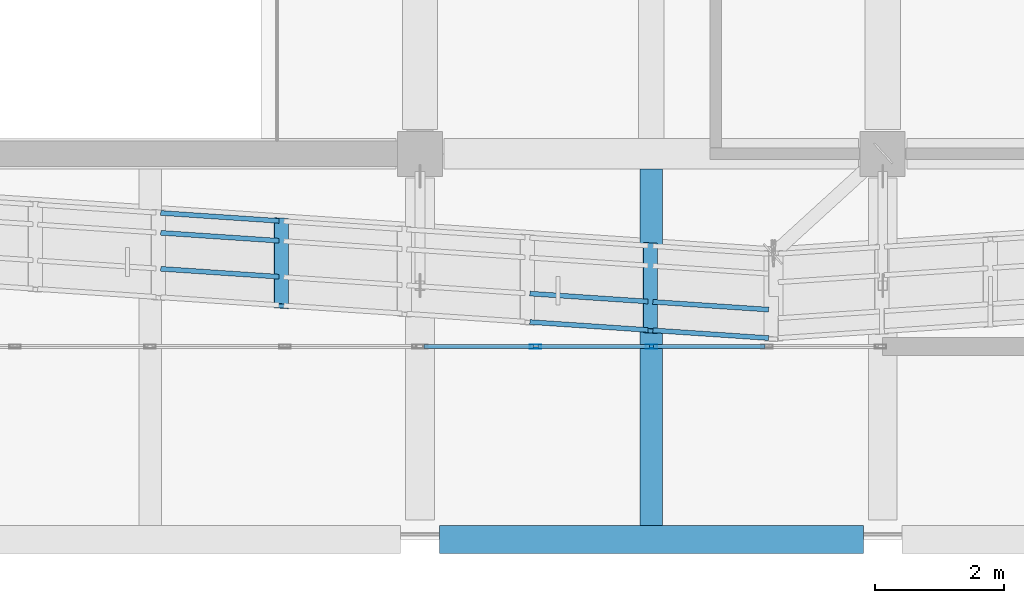
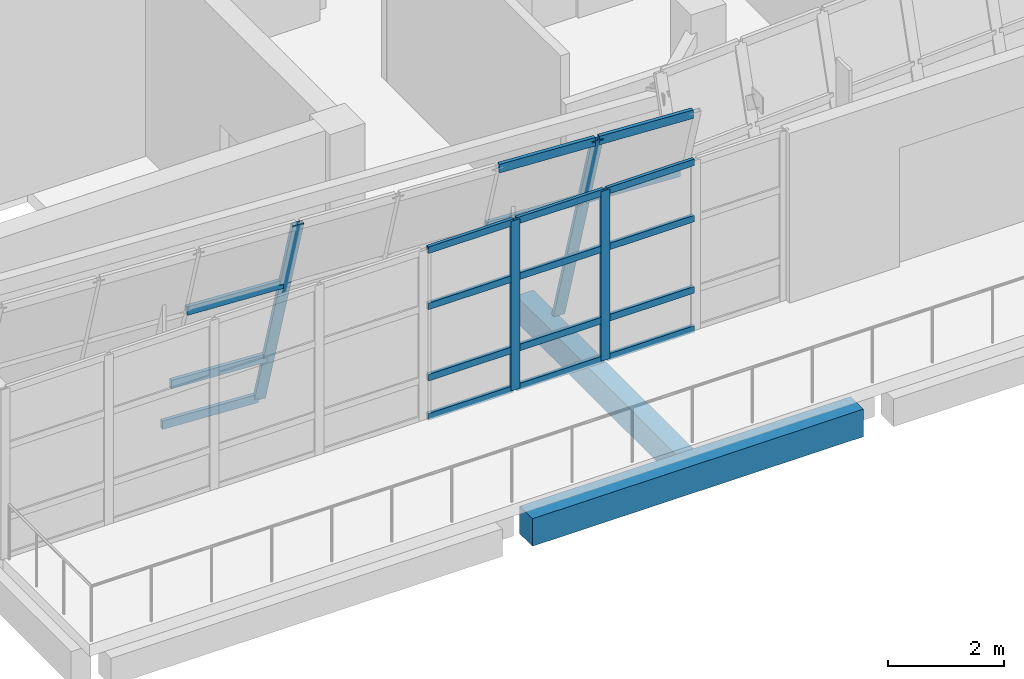
# One storey, part 3 of 67: 23 members, 2 beams, 2 elements without a shape of their own.
"""IFC4 building model written with IfcOpenShell, lengths in metres."""

from ifc_helpers import new_model, si_unit, direction, frame, origin, origin_2d, place, context, subcontext, project, spatial, rectangle, hollow_rectangle, extrude, material, material_profile, profile_set, type_object, element, aggregate, save


model = new_model("IFC4")

# Units and contexts
model_context = context("Model", 3, precision=1e-05, world=origin(), true_north=direction((0.0, 1.0)))
body_context = subcontext(model_context, "Body", "Model", "MODEL_VIEW")
ifc_project = project(units=[si_unit("LENGTHUNIT", "METRE"), si_unit("AREAUNIT", "SQUARE_METRE"), si_unit("VOLUMEUNIT", "CUBIC_METRE"), si_unit("PLANEANGLEUNIT", "RADIAN"), si_unit("MASSUNIT", "GRAM", prefix="KILO")], contexts=[model_context])

# Site, building, storey
site_placement = place(None, origin())
site = spatial("IfcSite", under=ifc_project, at=site_placement, CompositionType="ELEMENT")
building_placement = place(site_placement, origin())
building = spatial("IfcBuilding", under=site, at=building_placement, Name="Pellamere Symphony Hall", CompositionType="ELEMENT")
storey_placement = place(building_placement, frame((0.0, 0.0, 19.5)))
storey = spatial("IfcBuildingStorey", under=building, at=storey_placement, Name="L04", CompositionType="ELEMENT", Elevation=19.5)

# Curtain wall, members
ifc_material_1 = material(Name="Thermally Broken Anodised Aluminium 6063-T6 Curtain Wall", Category="aluminium")
curtain_wall_type_1 = type_object("IfcCurtainWallType", Name="Curtain Wall CW-01 (Tilted Faceted Crystal Low-Iron Curtain Wall)", PredefinedType="NOTDEFINED", material=ifc_material_1)
curtain_wall_1_placement = place(storey_placement, origin())
curtain_wall_1 = element("IfcCurtainWall", 1, at=curtain_wall_1_placement, inside=storey, type_object=curtain_wall_type_1, Name="Crystal Faceted Curtain Wall CW-CR01 (L04)", PredefinedType="NOTDEFINED")
ifc_material_2 = material(Name="Anodised Architectural Aluminium 6063-T6", Category="aluminium")
ifc_material_profile_1 = material_profile(ifc_material_2, hollow_rectangle(XDim=0.074951171875, YDim=0.219970703125, WallThickness=0.0048828125, at=origin_2d()), Name="ALU-M75X220X5")
ifc_profile_set_1 = profile_set([ifc_material_profile_1], Name="Anodised Architectural Aluminium 6063-T6")
member_type_1 = type_object("IfcMemberType", Name="Curtain Wall Mullion ML-01 ALU-M75X220X5", PredefinedType="MULLION", material=ifc_profile_set_1)
member_1_placement = place(storey_placement, frame((56.642822265625, 28.96435546875, 0.0), z_axis=(0.0, -0.284024567884, 0.95881700279), x_axis=(0.067013200006, 0.956661667464, 0.283386105922)))
member_1 = element("IfcMember", 2, at=member_1_placement, type_object=member_type_1, Name="CW1-001 crystal mullion 4", PredefinedType="MULLION", context=body_context, shape_type="SweptSolid", body=[
    extrude(hollow_rectangle(XDim=0.074951171875, YDim=0.219970703125, WallThickness=0.0048828125, at=origin_2d()), origin(), (0.0, 0.0, 1.0), 4.693359375),
])
member_2_placement = place(storey_placement, frame((62.3857421875, 28.57861328125, 0.0), z_axis=(0.0, -0.284024567884, 0.95881700279), x_axis=(0.067013200006, 0.956661667464, 0.283386105922)))
member_2 = element("IfcMember", 3, at=member_2_placement, type_object=member_type_1, Name="CW1-001 crystal mullion 7", PredefinedType="MULLION", context=body_context, shape_type="SweptSolid", body=[
    extrude(hollow_rectangle(XDim=0.074951171875, YDim=0.219970703125, WallThickness=0.0048828125, at=origin_2d()), origin(), (0.0, 0.0, 1.0), 4.693359375),
])

curtain_wall_type_2 = type_object("IfcCurtainWallType", Name="Curtain Wall CW-06 (Belvedere Terrace Clerestory Curtain Wall)", PredefinedType="NOTDEFINED", material=ifc_material_1)
curtain_wall_2_placement = place(storey_placement, origin())
curtain_wall_2 = element("IfcCurtainWall", 4, at=curtain_wall_2_placement, inside=storey, type_object=curtain_wall_type_2, Name="Winter-Garden South Curtain Wall (L04 Bay 2)", PredefinedType="NOTDEFINED")
ifc_material_profile_2 = material_profile(ifc_material_2, hollow_rectangle(XDim=0.06494140625, YDim=0.179931640625, WallThickness=0.00390625, at=origin_2d()), Name="ALU-M65X180X4")
ifc_profile_set_2 = profile_set([ifc_material_profile_2], Name="Anodised Architectural Aluminium 6063-T6")
member_type_2 = type_object("IfcMemberType", Name="Curtain Wall Mullion ML-02 ALU-M65X180X4", PredefinedType="MULLION", material=ifc_profile_set_2)
member_3_placement = place(storey_placement, frame((60.60009765625, 27.0, 0.0), z_axis=(0.0, 0.0, 1.0), x_axis=(0.0, 1.0, 0.0)))
member_3 = element("IfcMember", 5, at=member_3_placement, type_object=member_type_2, Name="CW2-096 crystal mullion 2", PredefinedType="MULLION", context=body_context, shape_type="SweptSolid", body=[
    extrude(hollow_rectangle(XDim=0.06494140625, YDim=0.179931640625, WallThickness=0.00390625, at=origin_2d()), origin(), (0.0, 0.0, 1.0), 3.577392578125),
])
member_4_placement = place(storey_placement, frame((62.39990234375, 27.0, 0.0), z_axis=(0.0, 0.0, 1.0), x_axis=(0.0, 1.0, 0.0)))
member_4 = element("IfcMember", 6, at=member_4_placement, type_object=member_type_2, Name="CW2-096 crystal mullion 3", PredefinedType="MULLION", context=body_context, shape_type="SweptSolid", body=[
    extrude(hollow_rectangle(XDim=0.06494140625, YDim=0.179931640625, WallThickness=0.00390625, at=origin_2d()), origin(), (0.0, 0.0, 1.0), 3.577392578125),
])

# Member
ifc_material_profile_3 = material_profile(ifc_material_2, hollow_rectangle(XDim=0.074951171875, YDim=0.179931640625, WallThickness=0.0048828125, at=origin_2d()), Name="ALU-T75X180X5")
ifc_profile_set_3 = profile_set([ifc_material_profile_3], Name="Anodised Architectural Aluminium 6063-T6")
member_type_3 = type_object("IfcMemberType", Name="Curtain Wall Transom TR-01 ALU-T75X180X5", PredefinedType="USERDEFINED", material=ifc_profile_set_3)
member_5_placement = place(storey_placement, frame((54.765869140625, 29.07958984375, 0.035888671875), z_axis=(0.997752815695, -0.067002378864, 0.0), x_axis=(0.067002378864, 0.997752815695, 0.0)))
member_5 = element("IfcMember", 7, at=member_5_placement, type_object=member_type_3, Name="CW1-001 crystal transom 3.1", ObjectType="TRANSOM", PredefinedType="USERDEFINED", context=body_context, shape_type="SweptSolid", body=[
    extrude(hollow_rectangle(XDim=0.074951171875, YDim=0.179931640625, WallThickness=0.0048828125, at=origin_2d()), origin(), (0.0, 0.0, 1.0), 1.84375),
])

member_6_placement = place(storey_placement, frame((54.765869140625, 28.7705078125, 1.080078125), z_axis=(0.997752815695, -0.067002378864, 0.0), x_axis=(0.067002378864, 0.997752815695, 0.0)))
member_6 = element("IfcMember", 8, at=member_6_placement, type_object=member_type_3, Name="CW1-001 crystal transom 3.2", ObjectType="TRANSOM", PredefinedType="USERDEFINED", context=body_context, shape_type="SweptSolid", body=[
    extrude(hollow_rectangle(XDim=0.074951171875, YDim=0.179931640625, WallThickness=0.0048828125, at=origin_2d()), origin(), (0.0, 0.0, 1.0), 1.84375),
])

member_7_placement = place(storey_placement, frame((54.765869140625, 28.21044921875, 2.969970703125), z_axis=(0.997752815695, -0.067002378864, 0.0), x_axis=(0.067002378864, 0.997752815695, 0.0)))
member_7 = element("IfcMember", 9, at=member_7_placement, type_object=member_type_3, Name="CW1-001 crystal transom 3.3", ObjectType="TRANSOM", PredefinedType="USERDEFINED", context=body_context, shape_type="SweptSolid", body=[
    extrude(hollow_rectangle(XDim=0.074951171875, YDim=0.179931640625, WallThickness=0.0048828125, at=origin_2d()), origin(), (0.0, 0.0, 1.0), 1.84375),
])

member_8_placement = place(storey_placement, frame((60.5087890625, 27.824951171875, 2.969970703125), z_axis=(0.997752815695, -0.067002378864, 0.0), x_axis=(0.067002378864, 0.997752815695, 0.0)))
member_8 = element("IfcMember", 10, at=member_8_placement, type_object=member_type_3, Name="CW1-001 crystal transom 6.3", ObjectType="TRANSOM", PredefinedType="USERDEFINED", context=body_context, shape_type="SweptSolid", body=[
    extrude(hollow_rectangle(XDim=0.074951171875, YDim=0.179931640625, WallThickness=0.0048828125, at=origin_2d()), origin(), (0.0, 0.0, 1.0), 1.84375),
])

member_9_placement = place(storey_placement, frame((60.5087890625, 27.38232421875, 4.464111328125), z_axis=(0.997752815695, -0.067002378864, 0.0), x_axis=(0.067002378864, 0.997752815695, 0.0)))
member_9 = element("IfcMember", 11, at=member_9_placement, type_object=member_type_3, Name="CW1-001 crystal transom 6.4", ObjectType="TRANSOM", PredefinedType="USERDEFINED", context=body_context, shape_type="SweptSolid", body=[
    extrude(hollow_rectangle(XDim=0.074951171875, YDim=0.179931640625, WallThickness=0.0048828125, at=origin_2d()), origin(), (0.0, 0.0, 1.0), 1.84375),
])

member_10_placement = place(storey_placement, frame((62.423095703125, 27.6962890625, 2.969970703125), z_axis=(0.997749727577, -0.067048349123, 0.0), x_axis=(0.067048349123, 0.997749727577, 0.0)))
member_10 = element("IfcMember", 12, at=member_10_placement, type_object=member_type_3, Name="CW1-001 crystal transom 7.3", ObjectType="TRANSOM", PredefinedType="USERDEFINED", context=body_context, shape_type="SweptSolid", body=[
    extrude(hollow_rectangle(XDim=0.074951171875, YDim=0.179931640625, WallThickness=0.0048828125, at=origin_2d()), origin(), (0.0, 0.0, 1.0), 1.80615234375),
])

member_11_placement = place(storey_placement, frame((62.423095703125, 27.253662109375, 4.464111328125), z_axis=(0.997749727577, -0.067048349123, 0.0), x_axis=(0.067048349123, 0.997749727577, 0.0)))
member_11 = element("IfcMember", 13, at=member_11_placement, type_object=member_type_3, Name="CW1-001 crystal transom 7.4", ObjectType="TRANSOM", PredefinedType="USERDEFINED", context=body_context, shape_type="SweptSolid", body=[
    extrude(hollow_rectangle(XDim=0.074951171875, YDim=0.179931640625, WallThickness=0.0048828125, at=origin_2d()), origin(), (0.0, 0.0, 1.0), 1.80615234375),
])

aggregate(curtain_wall_1, [member_1, member_2, member_5, member_6, member_7, member_8, member_9, member_10, member_11])

ifc_material_profile_4 = material_profile(ifc_material_2, hollow_rectangle(XDim=0.06494140625, YDim=0.139892578125, WallThickness=0.00390625, at=origin_2d()), Name="ALU-T65X140X4")
ifc_profile_set_4 = profile_set([ifc_material_profile_4], Name="Anodised Architectural Aluminium 6063-T6")
member_type_4 = type_object("IfcMemberType", Name="Curtain Wall Transom TR-02 ALU-T65X140X4", PredefinedType="USERDEFINED", material=ifc_profile_set_4)
member_12_placement = place(storey_placement, frame((58.864990234375, 27.0, 0.032470703125), z_axis=(1.0, 0.0, 0.0), x_axis=(0.0, 1.0, 0.0)))
member_12 = element("IfcMember", 14, at=member_12_placement, type_object=member_type_4, Name="CW2-096 crystal transom 1.1", ObjectType="TRANSOM", PredefinedType="USERDEFINED", context=body_context, shape_type="SweptSolid", body=[
    extrude(hollow_rectangle(XDim=0.06494140625, YDim=0.139892578125, WallThickness=0.00390625, at=origin_2d()), origin(), (0.0, 0.0, 1.0), 1.702392578125),
])

member_13_placement = place(storey_placement, frame((58.864990234375, 27.0, 0.858642578125), z_axis=(1.0, 0.0, 0.0), x_axis=(0.0, 1.0, 0.0)))
member_13 = element("IfcMember", 15, at=member_13_placement, type_object=member_type_4, Name="CW2-096 crystal transom 1.2", ObjectType="TRANSOM", PredefinedType="USERDEFINED", context=body_context, shape_type="SweptSolid", body=[
    extrude(hollow_rectangle(XDim=0.06494140625, YDim=0.139892578125, WallThickness=0.00390625, at=origin_2d()), origin(), (0.0, 0.0, 1.0), 1.702392578125),
])

member_14_placement = place(storey_placement, frame((58.864990234375, 27.0, 2.361083984375), z_axis=(1.0, 0.0, 0.0), x_axis=(0.0, 1.0, 0.0)))
member_14 = element("IfcMember", 16, at=member_14_placement, type_object=member_type_4, Name="CW2-096 crystal transom 1.3", ObjectType="TRANSOM", PredefinedType="USERDEFINED", context=body_context, shape_type="SweptSolid", body=[
    extrude(hollow_rectangle(XDim=0.06494140625, YDim=0.139892578125, WallThickness=0.00390625, at=origin_2d()), origin(), (0.0, 0.0, 1.0), 1.702392578125),
])

member_15_placement = place(storey_placement, frame((58.864990234375, 27.0, 3.544921875), z_axis=(1.0, 0.0, 0.0), x_axis=(0.0, 1.0, 0.0)))
member_15 = element("IfcMember", 17, at=member_15_placement, type_object=member_type_4, Name="CW2-096 crystal transom 1.4", ObjectType="TRANSOM", PredefinedType="USERDEFINED", context=body_context, shape_type="SweptSolid", body=[
    extrude(hollow_rectangle(XDim=0.06494140625, YDim=0.139892578125, WallThickness=0.00390625, at=origin_2d()), origin(), (0.0, 0.0, 1.0), 1.702392578125),
])

member_16_placement = place(storey_placement, frame((60.632568359375, 27.0, 0.032470703125), z_axis=(1.0, 0.0, 0.0), x_axis=(0.0, 1.0, 0.0)))
member_16 = element("IfcMember", 18, at=member_16_placement, type_object=member_type_4, Name="CW2-096 crystal transom 2.1", ObjectType="TRANSOM", PredefinedType="USERDEFINED", context=body_context, shape_type="SweptSolid", body=[
    extrude(hollow_rectangle(XDim=0.06494140625, YDim=0.139892578125, WallThickness=0.00390625, at=origin_2d()), origin(), (0.0, 0.0, 1.0), 1.73486328125),
])

member_17_placement = place(storey_placement, frame((60.632568359375, 27.0, 0.858642578125), z_axis=(1.0, 0.0, 0.0), x_axis=(0.0, 1.0, 0.0)))
member_17 = element("IfcMember", 19, at=member_17_placement, type_object=member_type_4, Name="CW2-096 crystal transom 2.2", ObjectType="TRANSOM", PredefinedType="USERDEFINED", context=body_context, shape_type="SweptSolid", body=[
    extrude(hollow_rectangle(XDim=0.06494140625, YDim=0.139892578125, WallThickness=0.00390625, at=origin_2d()), origin(), (0.0, 0.0, 1.0), 1.73486328125),
])

member_18_placement = place(storey_placement, frame((60.632568359375, 27.0, 2.361083984375), z_axis=(1.0, 0.0, 0.0), x_axis=(0.0, 1.0, 0.0)))
member_18 = element("IfcMember", 20, at=member_18_placement, type_object=member_type_4, Name="CW2-096 crystal transom 2.3", ObjectType="TRANSOM", PredefinedType="USERDEFINED", context=body_context, shape_type="SweptSolid", body=[
    extrude(hollow_rectangle(XDim=0.06494140625, YDim=0.139892578125, WallThickness=0.00390625, at=origin_2d()), origin(), (0.0, 0.0, 1.0), 1.73486328125),
])

member_19_placement = place(storey_placement, frame((60.632568359375, 27.0, 3.544921875), z_axis=(1.0, 0.0, 0.0), x_axis=(0.0, 1.0, 0.0)))
member_19 = element("IfcMember", 21, at=member_19_placement, type_object=member_type_4, Name="CW2-096 crystal transom 2.4", ObjectType="TRANSOM", PredefinedType="USERDEFINED", context=body_context, shape_type="SweptSolid", body=[
    extrude(hollow_rectangle(XDim=0.06494140625, YDim=0.139892578125, WallThickness=0.00390625, at=origin_2d()), origin(), (0.0, 0.0, 1.0), 1.73486328125),
])

member_20_placement = place(storey_placement, frame((62.4326171875, 27.0, 0.032470703125), z_axis=(1.0, 0.0, 0.0), x_axis=(0.0, 1.0, 0.0)))
member_20 = element("IfcMember", 22, at=member_20_placement, type_object=member_type_4, Name="CW2-096 crystal transom 3.1", ObjectType="TRANSOM", PredefinedType="USERDEFINED", context=body_context, shape_type="SweptSolid", body=[
    extrude(hollow_rectangle(XDim=0.06494140625, YDim=0.139892578125, WallThickness=0.00390625, at=origin_2d()), origin(), (0.0, 0.0, 1.0), 1.73486328125),
])

member_21_placement = place(storey_placement, frame((62.4326171875, 27.0, 0.858642578125), z_axis=(1.0, 0.0, 0.0), x_axis=(0.0, 1.0, 0.0)))
member_21 = element("IfcMember", 23, at=member_21_placement, type_object=member_type_4, Name="CW2-096 crystal transom 3.2", ObjectType="TRANSOM", PredefinedType="USERDEFINED", context=body_context, shape_type="SweptSolid", body=[
    extrude(hollow_rectangle(XDim=0.06494140625, YDim=0.139892578125, WallThickness=0.00390625, at=origin_2d()), origin(), (0.0, 0.0, 1.0), 1.73486328125),
])

member_22_placement = place(storey_placement, frame((62.4326171875, 27.0, 2.361083984375), z_axis=(1.0, 0.0, 0.0), x_axis=(0.0, 1.0, 0.0)))
member_22 = element("IfcMember", 24, at=member_22_placement, type_object=member_type_4, Name="CW2-096 crystal transom 3.3", ObjectType="TRANSOM", PredefinedType="USERDEFINED", context=body_context, shape_type="SweptSolid", body=[
    extrude(hollow_rectangle(XDim=0.06494140625, YDim=0.139892578125, WallThickness=0.00390625, at=origin_2d()), origin(), (0.0, 0.0, 1.0), 1.73486328125),
])

member_23_placement = place(storey_placement, frame((62.4326171875, 27.0, 3.544921875), z_axis=(1.0, 0.0, 0.0), x_axis=(0.0, 1.0, 0.0)))
member_23 = element("IfcMember", 25, at=member_23_placement, type_object=member_type_4, Name="CW2-096 crystal transom 3.4", ObjectType="TRANSOM", PredefinedType="USERDEFINED", context=body_context, shape_type="SweptSolid", body=[
    extrude(hollow_rectangle(XDim=0.06494140625, YDim=0.139892578125, WallThickness=0.00390625, at=origin_2d()), origin(), (0.0, 0.0, 1.0), 1.73486328125),
])

aggregate(curtain_wall_2, [member_3, member_4, member_12, member_13, member_14, member_15, member_16, member_17, member_18, member_19, member_20, member_21, member_22, member_23])

# Beams
ifc_material_3 = material(Name="Concrete 35 MPa", Category="concrete")
ifc_material_profile_5 = material_profile(ifc_material_3, rectangle(XDim=0.35009765625, YDim=0.550048828125, at=origin_2d()), Name="RC 350x550")
ifc_profile_set_5 = profile_set([ifc_material_profile_5], Name="Concrete 35 MPa")
beam_type_1 = type_object("IfcBeamType", Name="RC CB-10 350x550", PredefinedType="BEAM", material=ifc_profile_set_5)
beam_1_placement = place(storey_placement, frame((62.39990234375, 24.219970703125, -0.550048828125), z_axis=(0.0, 1.0, 0.0), x_axis=(-1.0, 0.0, 0.0)))
element("IfcBeam", 26, at=beam_1_placement, inside=storey, type_object=beam_type_1, Name="Secondary Floor Beam CB-10-M0703 (L04)", PredefinedType="BEAM", context=body_context, shape_type="SweptSolid", body=[
    extrude(rectangle(XDim=0.35009765625, YDim=0.550048828125, at=origin_2d()), origin(), (0.0, 0.0, 1.0), 5.5400390625),
])
ifc_material_4 = material(Name="Concrete 40 MPa", Category="concrete")
ifc_material_profile_6 = material_profile(ifc_material_4, rectangle(XDim=0.43994140625, YDim=0.580078125, at=origin_2d()), Name="RC 440x580")
ifc_profile_set_6 = profile_set([ifc_material_profile_6], Name="Concrete 40 MPa")
beam_type_2 = type_object("IfcBeamType", Name="RC CB-20 440x580", PredefinedType="BEAM", material=ifc_profile_set_6)
beam_2_placement = place(storey_placement, frame((59.10009765625, 24.0, -0.550048828125), z_axis=(1.0, 0.0, 0.0), x_axis=(0.0, 1.0, 0.0)))
element("IfcBeam", 27, at=beam_2_placement, inside=storey, type_object=beam_type_2, Name="Girder CB-20-X1794 (L04)", PredefinedType="BEAM", context=body_context, shape_type="SweptSolid", body=[
    extrude(rectangle(XDim=0.43994140625, YDim=0.580078125, at=origin_2d()), origin(), (0.0, 0.0, 1.0), 6.599853515625),
])

save(model, "model.ifc")
